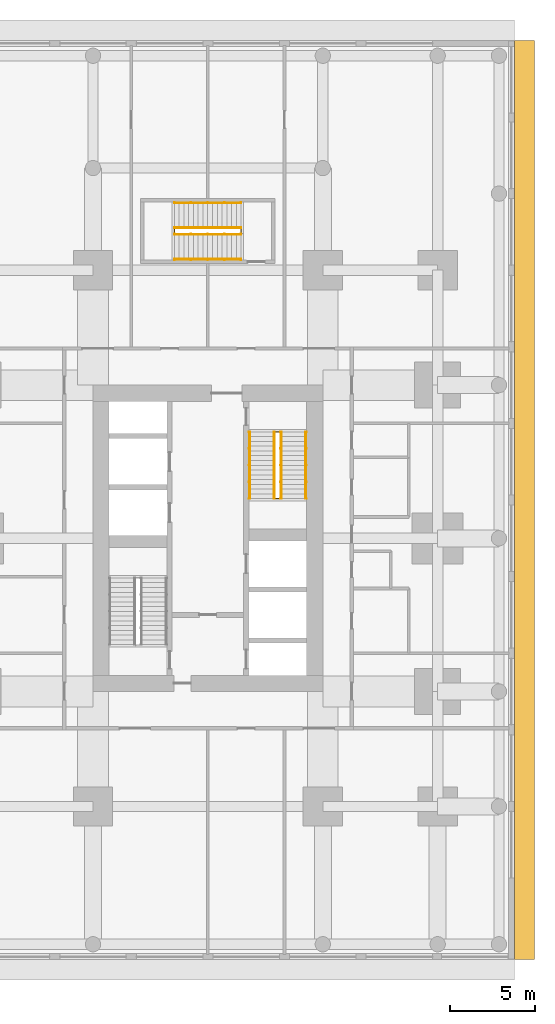
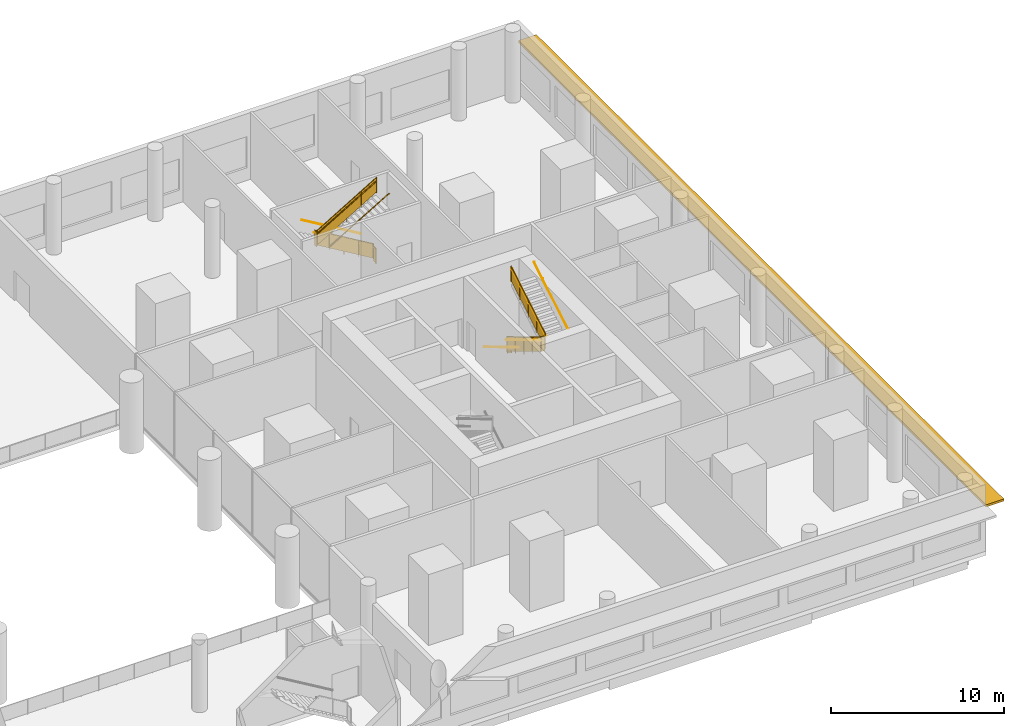
# One storey, part 22 of 22: 10 railings, 1 shading device.
"""IFC4 building model written with IfcOpenShell, lengths in metres."""

from ifc_helpers import new_model, si_unit, direction, frame, origin, origin_2d, place, context, subcontext, project, spatial, polyline, rectangle, circle, outline, extrude, material, layer, layer_set, type_object, element, save


model = new_model("IFC4")

# Units and contexts
model_context = context("Model", 3, precision=1e-05, world=origin(), true_north=direction((0.0, 1.0)))
body_context = subcontext(model_context, "Body", "Model", "MODEL_VIEW")
ifc_project = project(units=[si_unit("LENGTHUNIT", "METRE"), si_unit("AREAUNIT", "SQUARE_METRE"), si_unit("VOLUMEUNIT", "CUBIC_METRE"), si_unit("PLANEANGLEUNIT", "RADIAN"), si_unit("MASSUNIT", "GRAM", prefix="KILO")], contexts=[model_context])

# Site, building, storey
site_placement = place(None, origin())
site = spatial("IfcSite", under=ifc_project, at=site_placement, CompositionType="ELEMENT")
building_placement = place(site_placement, origin())
building = spatial("IfcBuilding", under=site, at=building_placement, Name="Namib Vertical Campus", CompositionType="ELEMENT")
storey_placement = place(building_placement, frame((0.0, 0.0, 11.0)))
storey = spatial("IfcBuildingStorey", under=building, at=storey_placement, Name="L02", CompositionType="ELEMENT", Elevation=11.0)

# Railings
ifc_material_1 = material(Name="Steel handrail", Category="steel")
railing_type_1 = type_object("IfcRailingType", Name="Handrail 900", PredefinedType="HANDRAIL", material=ifc_material_1)
railing_1_placement = place(storey_placement, frame((83.449951171875, 26.5, 0.166748046875)))
element("IfcRailing", 1, at=railing_1_placement, inside=storey, type_object=railing_type_1, Name="Handrail HR1 B-S2 L02 1", PredefinedType="HANDRAIL", context=body_context, shape_type="SweptSolid", body=[
    extrude(circle(Radius=0.02392578125, at=origin_2d()), frame((0.0, 0.0, 0.8759765625), z_axis=(0.0, -0.859296244711, 0.511478214419), x_axis=(1.0, 0.0, 0.0)), (0.0, 0.0, 1.0), 4.561767578125),
    extrude(circle(Radius=0.008056640625, at=origin_2d()), frame((0.0, 0.0, 0.8759765625), z_axis=(-1.0, 0.0, 0.0), x_axis=(0.0, 0.0, 1.0)), (0.0, 0.0, 1.0), 0.050048828125),
    extrude(circle(Radius=0.008056640625, at=origin_2d()), frame((0.0, -0.97998046875, 1.459228515625), z_axis=(-1.0, 0.0, 0.0), x_axis=(0.0, 0.0, 1.0)), (0.0, 0.0, 1.0), 0.050048828125),
    extrude(circle(Radius=0.008056640625, at=origin_2d()), frame((0.0, -1.9599609375, 2.04248046875), z_axis=(-1.0, 0.0, 0.0), x_axis=(0.0, 0.0, 1.0)), (0.0, 0.0, 1.0), 0.050048828125),
    extrude(circle(Radius=0.008056640625, at=origin_2d()), frame((0.0, -2.93994140625, 2.625732421875), z_axis=(-1.0, 0.0, 0.0), x_axis=(0.0, 0.0, 1.0)), (0.0, 0.0, 1.0), 0.050048828125),
    extrude(circle(Radius=0.008056640625, at=origin_2d()), frame((0.0, -3.919921875, 3.208984375), z_axis=(-1.0, 0.0, 0.0), x_axis=(0.0, 0.0, 1.0)), (0.0, 0.0, 1.0), 0.050048828125),
])
railing_2_placement = place(storey_placement, frame((86.75, 22.580078125, 2.666748046875)))
element("IfcRailing", 2, at=railing_2_placement, inside=storey, type_object=railing_type_1, Name="Handrail HR1 B-S2 L02 2", PredefinedType="HANDRAIL", context=body_context, shape_type="SweptSolid", body=[
    extrude(circle(Radius=0.02392578125, at=origin_2d()), frame((0.0, 0.0, 0.8759765625), z_axis=(0.0, 0.859296244711, 0.511478214419), x_axis=(-1.0, 0.0, 0.0)), (0.0, 0.0, 1.0), 4.561767578125),
    extrude(circle(Radius=0.008056640625, at=origin_2d()), frame((0.0, 0.0, 0.8759765625), z_axis=(1.0, 0.0, 0.0), x_axis=(0.0, 0.0, 1.0)), (0.0, 0.0, 1.0), 0.050048828125),
    extrude(circle(Radius=0.008056640625, at=origin_2d()), frame((0.0, 0.97998046875, 1.459228515625), z_axis=(1.0, 0.0, 0.0), x_axis=(0.0, 0.0, 1.0)), (0.0, 0.0, 1.0), 0.050048828125),
    extrude(circle(Radius=0.008056640625, at=origin_2d()), frame((0.0, 1.9599609375, 2.04248046875), z_axis=(1.0, 0.0, 0.0), x_axis=(0.0, 0.0, 1.0)), (0.0, 0.0, 1.0), 0.050048828125),
    extrude(circle(Radius=0.008056640625, at=origin_2d()), frame((0.0, 2.93994140625, 2.625732421875), z_axis=(1.0, 0.0, 0.0), x_axis=(0.0, 0.0, 1.0)), (0.0, 0.0, 1.0), 0.050048828125),
    extrude(circle(Radius=0.008056640625, at=origin_2d()), frame((0.0, 3.919921875, 3.208984375), z_axis=(1.0, 0.0, 0.0), x_axis=(0.0, 0.0, 1.0)), (0.0, 0.0, 1.0), 0.050048828125),
])
railing_3_placement = place(storey_placement, frame((84.89990234375, 26.5, 0.166748046875)))
element("IfcRailing", 3, at=railing_3_placement, inside=storey, type_object=railing_type_1, Name="Handrail HR1 B-S2 L02 1 at the well", PredefinedType="HANDRAIL", context=body_context, shape_type="SweptSolid", body=[
    extrude(circle(Radius=0.02392578125, at=origin_2d()), frame((0.0, 0.0, 0.8759765625), z_axis=(0.0, -0.859296244711, 0.511478214419), x_axis=(1.0, 0.0, 0.0)), (0.0, 0.0, 1.0), 4.561767578125),
    extrude(circle(Radius=0.008056640625, at=origin_2d()), frame((0.0, 0.0, 0.8759765625), z_axis=(1.0, 0.0, 0.0), x_axis=(0.0, 0.0, 1.0)), (0.0, 0.0, 1.0), 0.0400390625),
    extrude(circle(Radius=0.008056640625, at=origin_2d()), frame((0.0, -0.97998046875, 1.459228515625), z_axis=(1.0, 0.0, 0.0), x_axis=(0.0, 0.0, 1.0)), (0.0, 0.0, 1.0), 0.0400390625),
    extrude(circle(Radius=0.008056640625, at=origin_2d()), frame((0.0, -1.9599609375, 2.04248046875), z_axis=(1.0, 0.0, 0.0), x_axis=(0.0, 0.0, 1.0)), (0.0, 0.0, 1.0), 0.0400390625),
    extrude(circle(Radius=0.008056640625, at=origin_2d()), frame((0.0, -2.93994140625, 2.625732421875), z_axis=(1.0, 0.0, 0.0), x_axis=(0.0, 0.0, 1.0)), (0.0, 0.0, 1.0), 0.0400390625),
    extrude(circle(Radius=0.008056640625, at=origin_2d()), frame((0.0, -3.919921875, 3.208984375), z_axis=(1.0, 0.0, 0.0), x_axis=(0.0, 0.0, 1.0)), (0.0, 0.0, 1.0), 0.0400390625),
])
railing_4_placement = place(storey_placement, frame((85.300048828125, 22.580078125, 2.666748046875)))
element("IfcRailing", 4, at=railing_4_placement, inside=storey, type_object=railing_type_1, Name="Handrail HR1 B-S2 L02 2 at the well", PredefinedType="HANDRAIL", context=body_context, shape_type="SweptSolid", body=[
    extrude(circle(Radius=0.02392578125, at=origin_2d()), frame((0.0, 0.0, 0.8759765625), z_axis=(0.0, 0.859296244711, 0.511478214419), x_axis=(-1.0, 0.0, 0.0)), (0.0, 0.0, 1.0), 4.561767578125),
    extrude(circle(Radius=0.008056640625, at=origin_2d()), frame((0.0, 0.0, 0.8759765625), z_axis=(-1.0, 0.0, 0.0), x_axis=(0.0, 0.0, 1.0)), (0.0, 0.0, 1.0), 0.0400390625),
    extrude(circle(Radius=0.008056640625, at=origin_2d()), frame((0.0, 0.97998046875, 1.459228515625), z_axis=(-1.0, 0.0, 0.0), x_axis=(0.0, 0.0, 1.0)), (0.0, 0.0, 1.0), 0.0400390625),
    extrude(circle(Radius=0.008056640625, at=origin_2d()), frame((0.0, 1.9599609375, 2.04248046875), z_axis=(-1.0, 0.0, 0.0), x_axis=(0.0, 0.0, 1.0)), (0.0, 0.0, 1.0), 0.0400390625),
    extrude(circle(Radius=0.008056640625, at=origin_2d()), frame((0.0, 2.93994140625, 2.625732421875), z_axis=(-1.0, 0.0, 0.0), x_axis=(0.0, 0.0, 1.0)), (0.0, 0.0, 1.0), 0.0400390625),
    extrude(circle(Radius=0.008056640625, at=origin_2d()), frame((0.0, 3.919921875, 3.208984375), z_axis=(-1.0, 0.0, 0.0), x_axis=(0.0, 0.0, 1.0)), (0.0, 0.0, 1.0), 0.0400390625),
])
railing_5_placement = place(storey_placement, frame((82.949951171875, 39.949951171875, 0.166748046875)))
element("IfcRailing", 5, at=railing_5_placement, inside=storey, type_object=railing_type_1, Name="Handrail HR1 B-S3 L02 1", PredefinedType="HANDRAIL", context=body_context, shape_type="SweptSolid", body=[
    extrude(circle(Radius=0.02392578125, at=origin_2d()), frame((0.0, 0.0, 0.8759765625), z_axis=(-0.859296244711, 0.0, 0.511478214419), x_axis=(0.0, -1.0, 0.0)), (0.0, 0.0, 1.0), 4.561767578125),
    extrude(circle(Radius=0.008056640625, at=origin_2d()), frame((0.0, 0.0, 0.8759765625), z_axis=(0.0, 1.0, 0.0), x_axis=(0.0, 0.0, 1.0)), (0.0, 0.0, 1.0), 0.050048828125),
    extrude(circle(Radius=0.008056640625, at=origin_2d()), frame((-0.97998046875, 0.0, 1.459228515625), z_axis=(0.0, 1.0, 0.0), x_axis=(0.0, 0.0, 1.0)), (0.0, 0.0, 1.0), 0.050048828125),
    extrude(circle(Radius=0.008056640625, at=origin_2d()), frame((-1.9599609375, 0.0, 2.04248046875), z_axis=(0.0, 1.0, 0.0), x_axis=(0.0, 0.0, 1.0)), (0.0, 0.0, 1.0), 0.050048828125),
    extrude(circle(Radius=0.008056640625, at=origin_2d()), frame((-2.93994140625, 0.0, 2.625732421875), z_axis=(0.0, 1.0, 0.0), x_axis=(0.0, 0.0, 1.0)), (0.0, 0.0, 1.0), 0.050048828125),
    extrude(circle(Radius=0.008056640625, at=origin_2d()), frame((-3.919921875, 0.0, 3.208984375), z_axis=(0.0, 1.0, 0.0), x_axis=(0.0, 0.0, 1.0)), (0.0, 0.0, 1.0), 0.050048828125),
])
railing_6_placement = place(storey_placement, frame((79.030029296875, 36.64990234375, 2.666748046875)))
element("IfcRailing", 6, at=railing_6_placement, inside=storey, type_object=railing_type_1, Name="Handrail HR1 B-S3 L02 2", PredefinedType="HANDRAIL", context=body_context, shape_type="SweptSolid", body=[
    extrude(circle(Radius=0.02392578125, at=origin_2d()), frame((0.0, 0.0, 0.8759765625), z_axis=(0.859296244711, 0.0, 0.511478214419), x_axis=(0.0, 1.0, 0.0)), (0.0, 0.0, 1.0), 4.561767578125),
    extrude(circle(Radius=0.008056640625, at=origin_2d()), frame((0.0, 0.0, 0.8759765625), z_axis=(0.0, -1.0, 0.0), x_axis=(0.0, 0.0, 1.0)), (0.0, 0.0, 1.0), 0.050048828125),
    extrude(circle(Radius=0.008056640625, at=origin_2d()), frame((0.97998046875, 0.0, 1.459228515625), z_axis=(0.0, -1.0, 0.0), x_axis=(0.0, 0.0, 1.0)), (0.0, 0.0, 1.0), 0.050048828125),
    extrude(circle(Radius=0.008056640625, at=origin_2d()), frame((1.9599609375, 0.0, 2.04248046875), z_axis=(0.0, -1.0, 0.0), x_axis=(0.0, 0.0, 1.0)), (0.0, 0.0, 1.0), 0.050048828125),
    extrude(circle(Radius=0.008056640625, at=origin_2d()), frame((2.93994140625, 0.0, 2.625732421875), z_axis=(0.0, -1.0, 0.0), x_axis=(0.0, 0.0, 1.0)), (0.0, 0.0, 1.0), 0.050048828125),
    extrude(circle(Radius=0.008056640625, at=origin_2d()), frame((3.919921875, 0.0, 3.208984375), z_axis=(0.0, -1.0, 0.0), x_axis=(0.0, 0.0, 1.0)), (0.0, 0.0, 1.0), 0.050048828125),
])
railing_7_placement = place(storey_placement, frame((82.949951171875, 38.5, 0.166748046875)))
element("IfcRailing", 7, at=railing_7_placement, inside=storey, type_object=railing_type_1, Name="Handrail HR1 B-S3 L02 1 at the well", PredefinedType="HANDRAIL", context=body_context, shape_type="SweptSolid", body=[
    extrude(circle(Radius=0.02392578125, at=origin_2d()), frame((0.0, 0.0, 0.8759765625), z_axis=(-0.859296244711, 0.0, 0.511478214419), x_axis=(0.0, -1.0, 0.0)), (0.0, 0.0, 1.0), 4.561767578125),
    extrude(circle(Radius=0.008056640625, at=origin_2d()), frame((0.0, 0.0, 0.8759765625), z_axis=(0.0, -1.0, 0.0), x_axis=(0.0, 0.0, 1.0)), (0.0, 0.0, 1.0), 0.0400390625),
    extrude(circle(Radius=0.008056640625, at=origin_2d()), frame((-0.97998046875, 0.0, 1.459228515625), z_axis=(0.0, -1.0, 0.0), x_axis=(0.0, 0.0, 1.0)), (0.0, 0.0, 1.0), 0.0400390625),
    extrude(circle(Radius=0.008056640625, at=origin_2d()), frame((-1.9599609375, 0.0, 2.04248046875), z_axis=(0.0, -1.0, 0.0), x_axis=(0.0, 0.0, 1.0)), (0.0, 0.0, 1.0), 0.0400390625),
    extrude(circle(Radius=0.008056640625, at=origin_2d()), frame((-2.93994140625, 0.0, 2.625732421875), z_axis=(0.0, -1.0, 0.0), x_axis=(0.0, 0.0, 1.0)), (0.0, 0.0, 1.0), 0.0400390625),
    extrude(circle(Radius=0.008056640625, at=origin_2d()), frame((-3.919921875, 0.0, 3.208984375), z_axis=(0.0, -1.0, 0.0), x_axis=(0.0, 0.0, 1.0)), (0.0, 0.0, 1.0), 0.0400390625),
])
railing_8_placement = place(storey_placement, frame((79.030029296875, 38.10009765625, 2.666748046875)))
element("IfcRailing", 8, at=railing_8_placement, inside=storey, type_object=railing_type_1, Name="Handrail HR1 B-S3 L02 2 at the well", PredefinedType="HANDRAIL", context=body_context, shape_type="SweptSolid", body=[
    extrude(circle(Radius=0.02392578125, at=origin_2d()), frame((0.0, 0.0, 0.8759765625), z_axis=(0.859296244711, 0.0, 0.511478214419), x_axis=(0.0, 1.0, 0.0)), (0.0, 0.0, 1.0), 4.561767578125),
    extrude(circle(Radius=0.008056640625, at=origin_2d()), frame((0.0, 0.0, 0.8759765625), z_axis=(0.0, 1.0, 0.0), x_axis=(0.0, 0.0, 1.0)), (0.0, 0.0, 1.0), 0.0400390625),
    extrude(circle(Radius=0.008056640625, at=origin_2d()), frame((0.97998046875, 0.0, 1.459228515625), z_axis=(0.0, 1.0, 0.0), x_axis=(0.0, 0.0, 1.0)), (0.0, 0.0, 1.0), 0.0400390625),
    extrude(circle(Radius=0.008056640625, at=origin_2d()), frame((1.9599609375, 0.0, 2.04248046875), z_axis=(0.0, 1.0, 0.0), x_axis=(0.0, 0.0, 1.0)), (0.0, 0.0, 1.0), 0.0400390625),
    extrude(circle(Radius=0.008056640625, at=origin_2d()), frame((2.93994140625, 0.0, 2.625732421875), z_axis=(0.0, 1.0, 0.0), x_axis=(0.0, 0.0, 1.0)), (0.0, 0.0, 1.0), 0.0400390625),
    extrude(circle(Radius=0.008056640625, at=origin_2d()), frame((3.919921875, 0.0, 3.208984375), z_axis=(0.0, 1.0, 0.0), x_axis=(0.0, 0.0, 1.0)), (0.0, 0.0, 1.0), 0.0400390625),
])
ifc_material_2 = material(Name="Steel balustrade", Category="steel")
railing_type_2 = type_object("IfcRailingType", Name="Stair guard 1100", PredefinedType="GUARDRAIL", material=ifc_material_2)
railing_9_placement = place(storey_placement, frame((85.25, 26.5, 0.0)))
element("IfcRailing", 9, at=railing_9_placement, inside=storey, type_object=railing_type_2, Name="Stair guard GR1 B-S2 L02", PredefinedType="GUARDRAIL", context=body_context, shape_type="SweptSolid", body=[
    extrude(circle(Radius=0.02392578125, at=origin_2d()), frame((0.0, 0.0, 1.076171875), z_axis=(-1.0, 0.0, 0.0), x_axis=(0.0, -1.0, 0.0)), (0.0, 0.0, 1.0), 0.300048828125),
    extrude(outline(polyline([(0.02099609375, 0.050048828125), (0.279052734375, 0.050048828125), (0.279052734375, 1.052001953125), (0.02099609375, 1.052001953125), (0.02099609375, 0.050048828125)])), frame((0.0, -0.010009765625, 0.0), z_axis=(0.0, 1.0, 0.0), x_axis=(-1.0, 0.0, 0.0)), (0.0, 0.0, 1.0), 0.02001953125),
    extrude(circle(Radius=0.02392578125, at=origin_2d()), frame((-0.300048828125, 0.0, 1.076171875), z_axis=(0.0, 0.0, 1.0), x_axis=(1.0, 0.0, 0.0)), (0.0, 0.0, 1.0), 0.166748046875),
    extrude(circle(Radius=0.02392578125, at=origin_2d()), frame((-0.300048828125, 0.0, 1.24267578125), z_axis=(0.0, -0.859296244711, 0.511478214419), x_axis=(1.0, 0.0, 0.0)), (0.0, 0.0, 1.0), 4.561767578125),
    extrude(outline(polyline([(0.02099609375, 0.0625), (3.89892578125, 2.370849609375), (3.89892578125, 3.372802734375), (0.02099609375, 1.064453125), (0.02099609375, 0.0625)])), frame((-0.2900390625, 0.0, 0.166748046875), z_axis=(-1.0, 0.0, 0.0), x_axis=(0.0, -1.0, 0.0)), (0.0, 0.0, 1.0), 0.02001953125),
    extrude(circle(Radius=0.02392578125, at=origin_2d()), frame((-0.300048828125, -3.919921875, 3.576171875), z_axis=(1.0, 0.0, 0.0), x_axis=(0.0, 1.0, 0.0)), (0.0, 0.0, 1.0), 0.300048828125),
    extrude(outline(polyline([(0.02099609375, 0.050048828125), (0.279052734375, 0.050048828125), (0.279052734375, 1.052001953125), (0.02099609375, 1.052001953125), (0.02099609375, 0.050048828125)])), frame((-0.300048828125, -3.909912109375, 2.5), z_axis=(0.0, -1.0, 0.0), x_axis=(1.0, 0.0, 0.0)), (0.0, 0.0, 1.0), 0.02001953125),
    extrude(circle(Radius=0.02392578125, at=origin_2d()), frame((0.0, -3.919921875, 3.576171875), z_axis=(0.0, 0.0, 1.0), x_axis=(1.0, 0.0, 0.0)), (0.0, 0.0, 1.0), 0.166748046875),
    extrude(circle(Radius=0.02392578125, at=origin_2d()), frame((0.0, -3.919921875, 3.74267578125), z_axis=(0.0, 0.859296244711, 0.511478214419), x_axis=(-1.0, 0.0, 0.0)), (0.0, 0.0, 1.0), 4.561767578125),
    extrude(outline(polyline([(0.02099609375, 0.0625), (3.89892578125, 2.370849609375), (3.89892578125, 3.372802734375), (0.02099609375, 1.064453125), (0.02099609375, 0.0625)])), frame((-0.010009765625, -3.919921875, 2.666748046875), z_axis=(1.0, 0.0, 0.0), x_axis=(0.0, 1.0, 0.0)), (0.0, 0.0, 1.0), 0.02001953125),
    extrude(circle(Radius=0.02392578125, at=origin_2d()), frame((0.0, 0.0, 6.076171875), z_axis=(0.0, 1.0, 0.0), x_axis=(-1.0, 0.0, 0.0)), (0.0, 0.0, 1.0), 0.050048828125),
    extrude(outline(polyline([(0.02099609375, 0.050048828125), (0.029052734375, 0.050048828125), (0.029052734375, 1.052001953125), (0.02099609375, 1.052001953125), (0.02099609375, 0.050048828125)])), frame((-0.010009765625, 0.0, 5.0), z_axis=(1.0, 0.0, 0.0), x_axis=(0.0, 1.0, 0.0)), (0.0, 0.0, 1.0), 0.02001953125),
    extrude(circle(Radius=0.02099609375, at=origin_2d()), origin(), (0.0, 0.0, 1.0), 1.052001953125),
    extrude(circle(Radius=0.02099609375, at=origin_2d()), frame((-0.300048828125, 0.0, 0.166748046875)), (0.0, 0.0, 1.0), 1.052001953125),
    extrude(circle(Radius=0.02099609375, at=origin_2d()), frame((-0.300048828125, -0.97998046875, 0.666748046875)), (0.0, 0.0, 1.0), 1.13525390625),
    extrude(circle(Radius=0.02099609375, at=origin_2d()), frame((-0.300048828125, -1.9599609375, 1.166748046875)), (0.0, 0.0, 1.0), 1.218505859375),
    extrude(circle(Radius=0.02099609375, at=origin_2d()), frame((-0.300048828125, -2.93994140625, 1.83349609375)), (0.0, 0.0, 1.0), 1.13525390625),
    extrude(circle(Radius=0.02099609375, at=origin_2d()), frame((-0.300048828125, -3.919921875, 2.5)), (0.0, 0.0, 1.0), 1.052001953125),
    extrude(circle(Radius=0.02099609375, at=origin_2d()), frame((0.0, -3.919921875, 2.666748046875)), (0.0, 0.0, 1.0), 1.052001953125),
    extrude(circle(Radius=0.02099609375, at=origin_2d()), frame((0.0, -2.93994140625, 3.166748046875)), (0.0, 0.0, 1.0), 1.13525390625),
    extrude(circle(Radius=0.02099609375, at=origin_2d()), frame((0.0, -1.9599609375, 3.666748046875)), (0.0, 0.0, 1.0), 1.218505859375),
    extrude(circle(Radius=0.02099609375, at=origin_2d()), frame((0.0, -0.97998046875, 4.33349609375)), (0.0, 0.0, 1.0), 1.13525390625),
    extrude(circle(Radius=0.02099609375, at=origin_2d()), frame((0.0, 0.0, 5.0)), (0.0, 0.0, 1.0), 1.052001953125),
    extrude(circle(Radius=0.02099609375, at=origin_2d()), frame((0.0, 0.050048828125, 5.0)), (0.0, 0.0, 1.0), 1.052001953125),
])
railing_10_placement = place(storey_placement, frame((82.949951171875, 38.14990234375, 0.0)))
element("IfcRailing", 10, at=railing_10_placement, inside=storey, type_object=railing_type_2, Name="Stair guard GR1 B-S3 L02", PredefinedType="GUARDRAIL", context=body_context, shape_type="SweptSolid", body=[
    extrude(circle(Radius=0.02392578125, at=origin_2d()), frame((0.0, 0.0, 1.076171875), z_axis=(0.0, 1.0, 0.0), x_axis=(-1.0, 0.0, 0.0)), (0.0, 0.0, 1.0), 0.300048828125),
    extrude(outline(polyline([(0.02099609375, 0.050048828125), (0.279052734375, 0.050048828125), (0.279052734375, 1.052001953125), (0.02099609375, 1.052001953125), (0.02099609375, 0.050048828125)])), frame((-0.010009765625, 0.0, 0.0), z_axis=(1.0, 0.0, 0.0), x_axis=(0.0, 1.0, 0.0)), (0.0, 0.0, 1.0), 0.02001953125),
    extrude(circle(Radius=0.02392578125, at=origin_2d()), frame((0.0, 0.300048828125, 1.076171875), z_axis=(0.0, 0.0, 1.0), x_axis=(1.0, 0.0, 0.0)), (0.0, 0.0, 1.0), 0.166748046875),
    extrude(circle(Radius=0.02392578125, at=origin_2d()), frame((0.0, 0.300048828125, 1.24267578125), z_axis=(-0.859296244711, 0.0, 0.511478214419), x_axis=(0.0, -1.0, 0.0)), (0.0, 0.0, 1.0), 4.561767578125),
    extrude(outline(polyline([(0.02099609375, 0.0625), (3.89892578125, 2.370849609375), (3.89892578125, 3.372802734375), (0.02099609375, 1.064453125), (0.02099609375, 0.0625)])), frame((0.0, 0.2900390625, 0.166748046875), z_axis=(0.0, 1.0, 0.0), x_axis=(-1.0, 0.0, 0.0)), (0.0, 0.0, 1.0), 0.02001953125),
    extrude(circle(Radius=0.02392578125, at=origin_2d()), frame((-3.919921875, 0.300048828125, 3.576171875), z_axis=(0.0, -1.0, 0.0), x_axis=(1.0, 0.0, 0.0)), (0.0, 0.0, 1.0), 0.300048828125),
    extrude(outline(polyline([(0.02099609375, 0.050048828125), (0.279052734375, 0.050048828125), (0.279052734375, 1.052001953125), (0.02099609375, 1.052001953125), (0.02099609375, 0.050048828125)])), frame((-3.909912109375, 0.300048828125, 2.5), z_axis=(-1.0, 0.0, 0.0), x_axis=(0.0, -1.0, 0.0)), (0.0, 0.0, 1.0), 0.02001953125),
    extrude(circle(Radius=0.02392578125, at=origin_2d()), frame((-3.919921875, 0.0, 3.576171875), z_axis=(0.0, 0.0, 1.0), x_axis=(1.0, 0.0, 0.0)), (0.0, 0.0, 1.0), 0.166748046875),
    extrude(circle(Radius=0.02392578125, at=origin_2d()), frame((-3.919921875, 0.0, 3.74267578125), z_axis=(0.859296244711, 0.0, 0.511478214419), x_axis=(0.0, 1.0, 0.0)), (0.0, 0.0, 1.0), 4.561767578125),
    extrude(outline(polyline([(0.02099609375, 0.0625), (3.89892578125, 2.370849609375), (3.89892578125, 3.372802734375), (0.02099609375, 1.064453125), (0.02099609375, 0.0625)])), frame((-3.919921875, 0.010009765625, 2.666748046875), z_axis=(0.0, -1.0, 0.0), x_axis=(1.0, 0.0, 0.0)), (0.0, 0.0, 1.0), 0.02001953125),
    extrude(circle(Radius=0.02392578125, at=origin_2d()), frame((0.0, 0.0, 6.076171875), z_axis=(1.0, 0.0, 0.0), x_axis=(0.0, 1.0, 0.0)), (0.0, 0.0, 1.0), 0.050048828125),
    extrude(outline(polyline([(0.02099609375, 0.050048828125), (0.029052734375, 0.050048828125), (0.029052734375, 1.052001953125), (0.02099609375, 1.052001953125), (0.02099609375, 0.050048828125)])), frame((0.0, 0.010009765625, 5.0), z_axis=(0.0, -1.0, 0.0), x_axis=(1.0, 0.0, 0.0)), (0.0, 0.0, 1.0), 0.02001953125),
    extrude(circle(Radius=0.02099609375, at=origin_2d()), origin(), (0.0, 0.0, 1.0), 1.052001953125),
    extrude(circle(Radius=0.02099609375, at=origin_2d()), frame((0.0, 0.300048828125, 0.166748046875)), (0.0, 0.0, 1.0), 1.052001953125),
    extrude(circle(Radius=0.02099609375, at=origin_2d()), frame((-0.97998046875, 0.300048828125, 0.666748046875)), (0.0, 0.0, 1.0), 1.13525390625),
    extrude(circle(Radius=0.02099609375, at=origin_2d()), frame((-1.9599609375, 0.300048828125, 1.166748046875)), (0.0, 0.0, 1.0), 1.218505859375),
    extrude(circle(Radius=0.02099609375, at=origin_2d()), frame((-2.93994140625, 0.300048828125, 1.83349609375)), (0.0, 0.0, 1.0), 1.13525390625),
    extrude(circle(Radius=0.02099609375, at=origin_2d()), frame((-3.919921875, 0.300048828125, 2.5)), (0.0, 0.0, 1.0), 1.052001953125),
    extrude(circle(Radius=0.02099609375, at=origin_2d()), frame((-3.919921875, 0.0, 2.666748046875)), (0.0, 0.0, 1.0), 1.052001953125),
    extrude(circle(Radius=0.02099609375, at=origin_2d()), frame((-2.93994140625, 0.0, 3.166748046875)), (0.0, 0.0, 1.0), 1.13525390625),
    extrude(circle(Radius=0.02099609375, at=origin_2d()), frame((-1.9599609375, 0.0, 3.666748046875)), (0.0, 0.0, 1.0), 1.218505859375),
    extrude(circle(Radius=0.02099609375, at=origin_2d()), frame((-0.97998046875, 0.0, 4.33349609375)), (0.0, 0.0, 1.0), 1.13525390625),
    extrude(circle(Radius=0.02099609375, at=origin_2d()), frame((0.0, 0.0, 5.0)), (0.0, 0.0, 1.0), 1.052001953125),
    extrude(circle(Radius=0.02099609375, at=origin_2d()), frame((0.050048828125, 0.0, 5.0)), (0.0, 0.0, 1.0), 1.052001953125),
])

# Shading device
ifc_material_3 = material(Name="Concrete C40/50 precast", Category="concrete")
ifc_layer = layer(ifc_material_3, 0.14990234375)
ifc_layer_set = layer_set([ifc_layer], Name="Concrete C40/50 precast")
shading_device_type = type_object("IfcShadingDeviceType", Name="Sunshade hood 1200", PredefinedType="SHUTTER", material=ifc_layer_set)
shading_device_placement = place(storey_placement, frame((99.60009765625, 22.5, 3.10009765625), z_axis=(0.0, 0.0, 1.0), x_axis=(0.0, 1.0, 0.0)))
element("IfcShadingDevice", 11, at=shading_device_placement, inside=storey, type_object=shading_device_type, Name="Sunshade SH2 L02 2", PredefinedType="SHUTTER", context=body_context, shape_type="SweptSolid", body=[
    extrude(rectangle(XDim=54.0, YDim=1.199951171875, at=origin_2d()), origin(), (0.0, 0.0, 1.0), 0.14990234375),
])

save(model, "model.ifc")
